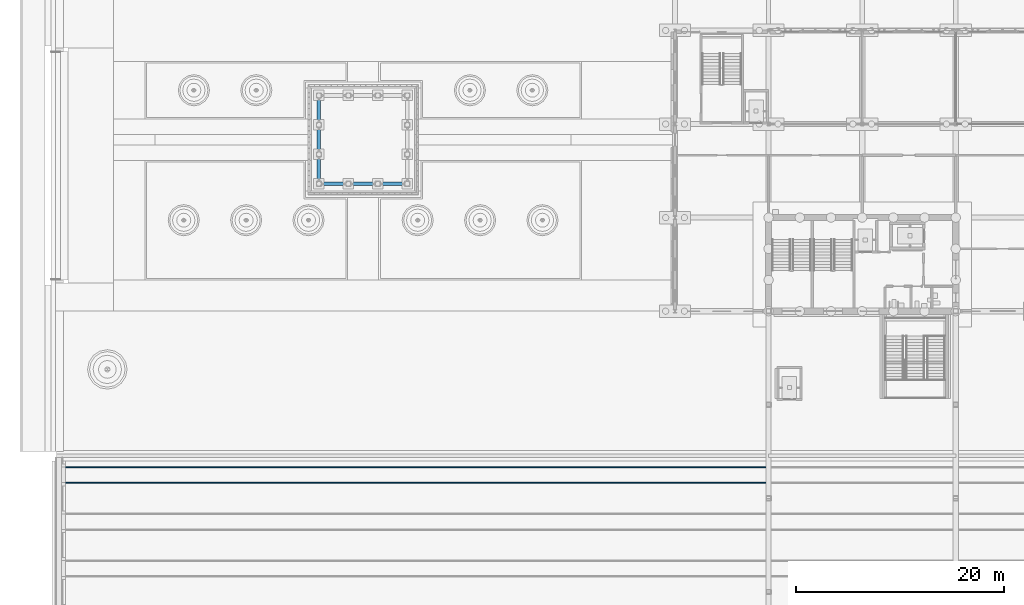
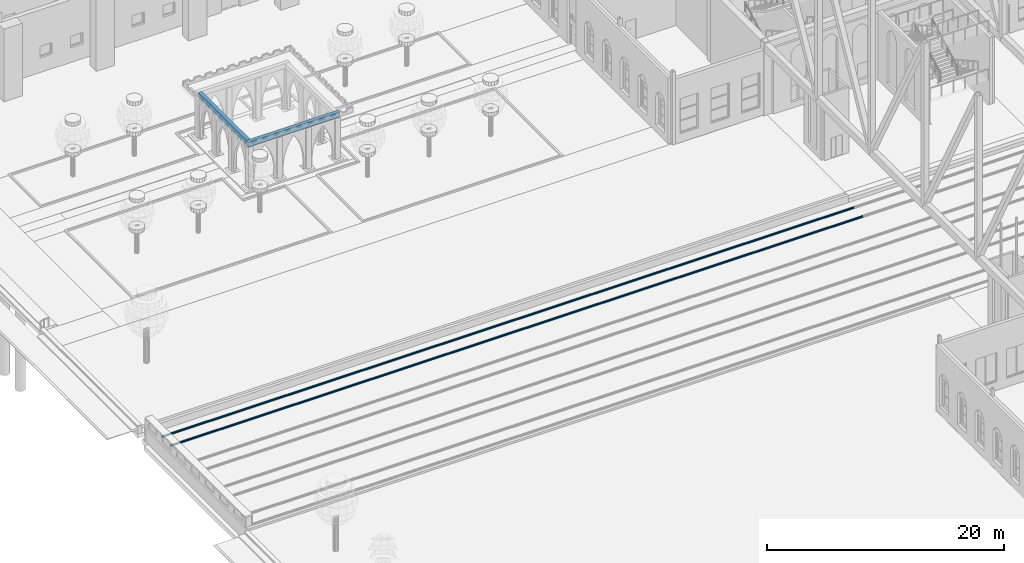
# One storey, part 40 of 250: 2 beams, 2 members.
"""IFC4 building model written with IfcOpenShell, lengths in metres."""

import ifcopenshell
import ifcopenshell.guid

model = None  # the IFC model being written
_history = None  # IfcOwnerHistory: only IFC2X3 demands one
_inside = {}  # id of a spatial element -> (the spatial element, [elements in it])
_under = {}  # id of a project, library or spatial element -> (it, [spatial elements below it])
_declared = {}  # id of a project -> (the project, [libraries it declares])
_typed = {}  # id of a type object -> (the type object, [elements of that type])
_made_of = {}  # id of a material, layer set ... -> (it, [elements and type objects made of it])


def new_model(schema):
    """Start an empty IFC model of exactly this schema.

    Asked for "IFC4X3", IfcOpenShell would pick the latest addendum, in which some entities
    have other attributes; the version numbers below select the first issue.
    IFC2X3 requires an IfcOwnerHistory on every rooted entity: one is made here for all.
    """
    global model, _history
    if schema == "IFC4X3":
        model = ifcopenshell.file(schema_version=(4, 3, 0, 0))
    else:
        model = ifcopenshell.file(schema=schema)
    _inside.clear()
    _under.clear()
    _declared.clear()
    _typed.clear()
    _made_of.clear()
    _history = None
    if model.schema == "IFC2X3":
        org = make("IfcOrganization", Name="unknown")
        user = make(
            "IfcPersonAndOrganization",
            ThePerson=make("IfcPerson", FamilyName="unknown"),
            TheOrganization=org,
        )
        app = make(
            "IfcApplication",
            ApplicationDeveloper=org,
            Version="unknown",
            ApplicationFullName="unknown",
            ApplicationIdentifier="unknown",
        )
        _history = make(
            "IfcOwnerHistory",
            OwningUser=user,
            OwningApplication=app,
            ChangeAction="ADDED",
            CreationDate=0,
        )
    return model


def make(cls, **values):
    """One entity of the class cls with the attributes given. An attribute that is None is left unset."""
    return model.create_entity(
        cls, **{name: value for name, value in values.items() if value is not None}
    )


def rooted(cls, **values):
    """An entity with a GlobalId (a new one), such as an element, a storey or a relation."""
    return make(cls, GlobalId=ifcopenshell.guid.new(), OwnerHistory=_history, **values)


def si_unit(unit_type, name, prefix=None):
    """IfcSIUnit, for example si_unit("LENGTHUNIT", "METRE", prefix="MILLI")."""
    return make("IfcSIUnit", UnitType=unit_type, Prefix=prefix, Name=name)


def assignment(units):
    """IfcUnitAssignment: the units of a project."""
    return None if units is None else make("IfcUnitAssignment", Units=units)


def point(xyz):
    """IfcCartesianPoint."""
    return None if xyz is None else make("IfcCartesianPoint", Coordinates=xyz)


def direction(xyz):
    """IfcDirection."""
    return None if xyz is None else make("IfcDirection", DirectionRatios=xyz)


def frame(location, z_axis=None, x_axis=None):
    """IfcAxis2Placement3D, a coordinate frame: its origin and axes. An axis left out is left unset."""
    return make(
        "IfcAxis2Placement3D",
        Location=point(location),
        Axis=direction(z_axis),
        RefDirection=direction(x_axis),
    )


def frame_2d(location, x_axis=None):
    """IfcAxis2Placement2D, a coordinate frame in the plane: its origin and x axis."""
    return make(
        "IfcAxis2Placement2D", Location=point(location), RefDirection=direction(x_axis)
    )


def origin():
    """The frame at (0, 0, 0) with its axes left unset."""
    return frame((0.0, 0.0, 0.0))


def origin_2d():
    """The frame at (0, 0) in the plane with its x axis left unset."""
    return frame_2d((0.0, 0.0))


def place(relative_to, where):
    """IfcLocalPlacement: puts the frame where relative to a parent placement (None: the world)."""
    return make(
        "IfcLocalPlacement", PlacementRelTo=relative_to, RelativePlacement=where
    )


def context(
    kind, dimensions, precision=None, world=None, true_north=None, identifier=None
):
    """IfcGeometricRepresentationContext, for example the 3D "Model" context."""
    return make(
        "IfcGeometricRepresentationContext",
        ContextIdentifier=identifier,
        ContextType=kind,
        CoordinateSpaceDimension=dimensions,
        Precision=precision,
        WorldCoordinateSystem=world,
        TrueNorth=true_north,
    )


def subcontext(parent, identifier, kind, view, scale=None):
    """IfcGeometricRepresentationSubContext, for example "Body" below "Model"."""
    return make(
        "IfcGeometricRepresentationSubContext",
        ContextIdentifier=identifier,
        ContextType=kind,
        ParentContext=parent,
        TargetScale=scale,
        TargetView=view,
    )


def project(units=None, contexts=None):
    """IfcProject with its units and contexts."""
    return rooted(
        "IfcProject",
        Name="project",
        RepresentationContexts=contexts,
        UnitsInContext=assignment(units),
    )


def spatial(cls, under=None, at=None, **own):
    """A site, building, storey or space (cls), placed at a placement, below another one or the project."""
    s = rooted(cls, ObjectPlacement=at, **own)
    if under is not None:
        _under.setdefault(under.id(), (under, []))[1].append(s)
    return s


def polyline(points):
    """IfcPolyline through the points."""
    return make("IfcPolyline", Points=[point(p) for p in points])


def profile(cls, at=None, kind="AREA", **sizes):
    """A parametric profile (cls). Its sizes go by their IFC names, for example OverallWidth=200.0."""
    return make(cls, ProfileType=kind, Position=at, **sizes)


def rectangle(**sizes):
    """IfcRectangleProfileDef."""
    return profile("IfcRectangleProfileDef", **sizes)


def outline(outer, holes=None, kind="AREA"):
    """IfcArbitraryClosedProfileDef: a profile drawn as a closed curve; with holes, ...WithVoids."""
    if holes is None:
        return make("IfcArbitraryClosedProfileDef", ProfileType=kind, OuterCurve=outer)
    return make(
        "IfcArbitraryProfileDefWithVoids",
        ProfileType=kind,
        OuterCurve=outer,
        InnerCurves=holes,
    )


def extrude(swept, where, along, depth):
    """IfcExtrudedAreaSolid: the profile swept, set in the frame where, extruded along a direction by depth."""
    return make(
        "IfcExtrudedAreaSolid",
        SweptArea=swept,
        Position=where,
        ExtrudedDirection=direction(along),
        Depth=depth,
    )


def shape(context_of_items, identifier, shape_type, items):
    """IfcShapeRepresentation: the items that make up one representation, for example the "Body"."""
    return make(
        "IfcShapeRepresentation",
        ContextOfItems=context_of_items,
        RepresentationIdentifier=identifier,
        RepresentationType=shape_type,
        Items=items,
    )


def material(Name=None, Category=None):
    """IfcMaterial."""
    return make("IfcMaterial", Name=Name, Category=Category)


def material_profile(
    of_material, cross_section, Name=None, Category=None, Priority=None
):
    """IfcMaterialProfile: a cross section and its material."""
    return make(
        "IfcMaterialProfile",
        Name=Name,
        Material=of_material,
        Profile=cross_section,
        Priority=Priority,
        Category=Category,
    )


def profile_set(profiles, Name=None, composite=None):
    """IfcMaterialProfileSet."""
    return make(
        "IfcMaterialProfileSet",
        Name=Name,
        MaterialProfiles=profiles,
        CompositeProfile=composite,
    )


def made_of(thing, what):
    """Note that an element or type object is made of a material, layer set ...; save() writes the relation."""
    if what is not None:
        _made_of.setdefault(what.id(), (what, []))[1].append(thing)
    return thing


def type_object(cls, material=None, **own):
    """A type object (cls), such as IfcWallType, which elements share."""
    return made_of(rooted(cls, **own), material)


def element(
    cls,
    number,
    at=None,
    inside=None,
    cuts=None,
    type_object=None,
    material=None,
    context=None,
    identifier="Body",
    shape_type=None,
    held_by="IfcProductDefinitionShape",
    body=None,
    shapes=None,
    **own,
):
    """One element of the class cls, such as IfcWall. Its Tag is "e" and its number.

    at: its placement. inside: the storey or other place that contains it. cuts: it is an
    opening in that element (IfcRelVoidsElement). A single representation is given by context,
    identifier, shape_type and body (its items); several are given by shapes. held_by: the class
    of the entity that holds the representations. save() writes the other relations.
    """
    e = rooted(cls, Tag="e%d" % number, ObjectPlacement=at, **own)
    if body is not None:
        shapes = [shape(context, identifier, shape_type, body)]
    if shapes is not None:
        e.Representation = make(held_by, Representations=shapes)
    if inside is not None:
        _inside.setdefault(inside.id(), (inside, []))[1].append(e)
    if cuts is not None:
        rooted(
            "IfcRelVoidsElement", RelatingBuildingElement=cuts, RelatedOpeningElement=e
        )
    if type_object is not None:
        _typed.setdefault(type_object.id(), (type_object, []))[1].append(e)
    return made_of(e, material)


def aggregate(whole, parts):
    """IfcRelAggregates: a whole, such as a stair, and the parts it consists of."""
    return rooted("IfcRelAggregates", RelatingObject=whole, RelatedObjects=parts)


def save(model, path):
    """Write the relations noted so far, then the file.

    IfcRelAggregates (storeys below a building ...), IfcRelContainedInSpatialStructure (elements
    in a storey), IfcRelDefinesByType, IfcRelAssociatesMaterial and IfcRelDeclares: one each for
    every whole, place, type object, material and project.
    """
    for whole, parts in _under.values():
        aggregate(whole, parts)
    for where, things in _inside.values():
        rooted(
            "IfcRelContainedInSpatialStructure",
            RelatedElements=things,
            RelatingStructure=where,
        )
    for kind, things in _typed.values():
        rooted("IfcRelDefinesByType", RelatedObjects=things, RelatingType=kind)
    for what, things in _made_of.values():
        rooted("IfcRelAssociatesMaterial", RelatedObjects=things, RelatingMaterial=what)
    for by, libraries in _declared.values():
        rooted("IfcRelDeclares", RelatingContext=by, RelatedDefinitions=libraries)
    model.write(path)


model = new_model("IFC4")

# Units and contexts
model_context = context("Model", 3, precision=1e-05, world=origin(), true_north=direction((0.0, 1.0)))
body_context = subcontext(model_context, "Body", "Model", "MODEL_VIEW")
ifc_project = project(units=[si_unit("LENGTHUNIT", "METRE"), si_unit("AREAUNIT", "SQUARE_METRE"), si_unit("VOLUMEUNIT", "CUBIC_METRE"), si_unit("PLANEANGLEUNIT", "RADIAN"), si_unit("MASSUNIT", "GRAM", prefix="KILO")], contexts=[model_context])

# Site, building, storey
site_placement = place(None, origin())
site = spatial("IfcSite", under=ifc_project, at=site_placement, CompositionType="ELEMENT")
building_placement = place(site_placement, origin())
building = spatial("IfcBuilding", under=site, at=building_placement, Name="Baradari Gate Terminus", CompositionType="ELEMENT")
storey_placement = place(building_placement, origin())
storey = spatial("IfcBuildingStorey", under=building, at=storey_placement, Name="L00", CompositionType="ELEMENT", Elevation=0.0)

# Beams
ifc_material_1 = material(Name="Precast concrete C40/50", Category="concrete")
ifc_material_profile_1 = material_profile(ifc_material_1, rectangle(XDim=0.35009765625, YDim=0.5, at=origin_2d()), Name="RC350X500")
ifc_profile_set_1 = profile_set([ifc_material_profile_1], Name="Precast concrete C40/50")
beam_type = type_object("IfcBeamType", Name="Court pavilion edge beam CPB-1 350x500", PredefinedType="BEAM", material=ifc_profile_set_1)
beam_1_placement = place(storey_placement, frame((28.5, 93.25, 4.60009765625), z_axis=(1.0, 0.0, 0.0), x_axis=(0.0, 1.0, 0.0)))
element("IfcBeam", 1, at=beam_1_placement, inside=storey, type_object=beam_type, Name="Court pavilion edge beam 1", PredefinedType="BEAM", context=body_context, shape_type="SweptSolid", body=[
    extrude(rectangle(XDim=0.35009765625, YDim=0.5, at=origin_2d()), origin(), (0.0, 0.0, 1.0), 9.0),
])
beam_2_placement = place(storey_placement, frame((28.75, 93.425048828125, 4.60009765625), z_axis=(0.0, 1.0, 0.0), x_axis=(-1.0, 0.0, 0.0)))
element("IfcBeam", 2, at=beam_2_placement, inside=storey, type_object=beam_type, Name="Court pavilion edge beam 3", PredefinedType="BEAM", context=body_context, shape_type="SweptSolid", body=[
    extrude(rectangle(XDim=0.35009765625, YDim=0.5, at=origin_2d()), origin(), (0.0, 0.0, 1.0), 8.14990234375),
])

# Members
ifc_material_2 = material(Name="Steel R260", Category="steel")
ifc_material_profile_2 = material_profile(ifc_material_2, outline(polyline([(-0.074951171875, 0.0), (0.074951171875, 0.0), (0.074951171875, 0.010986328125), (0.0400390625, 0.01708984375), (0.00830078125, 0.028076171875), (0.00830078125, 0.092041015625), (0.02001953125, 0.10400390625), (0.035888671875, 0.1220703125), (0.035888671875, 0.159912109375), (0.030029296875, 0.172119140625), (-0.030029296875, 0.172119140625), (-0.035888671875, 0.159912109375), (-0.035888671875, 0.1220703125), (-0.02001953125, 0.10400390625), (-0.00830078125, 0.092041015625), (-0.00830078125, 0.028076171875), (-0.0400390625, 0.01708984375), (-0.074951171875, 0.010986328125), (-0.074951171875, 0.0)])), Name="UIC 60 (60E1)")
ifc_profile_set_2 = profile_set([ifc_material_profile_2], Name="Steel R260")
member_type = type_object("IfcMemberType", Name="Rail UIC 60 RL1", PredefinedType="USERDEFINED", material=ifc_profile_set_2)
for number, where, z_axis, x_axis, name in (
    (3, (4.39990234375, 64.49658203125, -0.721923828125), (1.0, 0.0, 0.0), (0.0, 1.0, 0.0), "Rail T4a W"),
    (4, (4.39990234375, 66.00341796875, -0.721923828125), (1.0, 0.0, 0.0), (0.0, 1.0, 0.0), "Rail T4b W"),
):
    element("IfcMember", number, at=place(storey_placement, frame(where, z_axis=z_axis, x_axis=x_axis)), inside=storey, type_object=member_type, Name=name, ObjectType="RAIL", PredefinedType="USERDEFINED", context=body_context, shape_type="SweptSolid", body=[
        extrude(outline(polyline([(-0.074951171875, 0.0), (0.074951171875, 0.0), (0.074951171875, 0.010986328125), (0.0400390625, 0.01708984375), (0.00830078125, 0.028076171875), (0.00830078125, 0.092041015625), (0.02001953125, 0.10400390625), (0.035888671875, 0.1220703125), (0.035888671875, 0.159912109375), (0.030029296875, 0.172119140625), (-0.030029296875, 0.172119140625), (-0.035888671875, 0.159912109375), (-0.035888671875, 0.1220703125), (-0.02001953125, 0.10400390625), (-0.00830078125, 0.092041015625), (-0.00830078125, 0.028076171875), (-0.0400390625, 0.01708984375), (-0.074951171875, 0.010986328125), (-0.074951171875, 0.0)])), origin(), (0.0, 0.0, 1.0), 67.60009765625),
    ])

save(model, "model.ifc")
